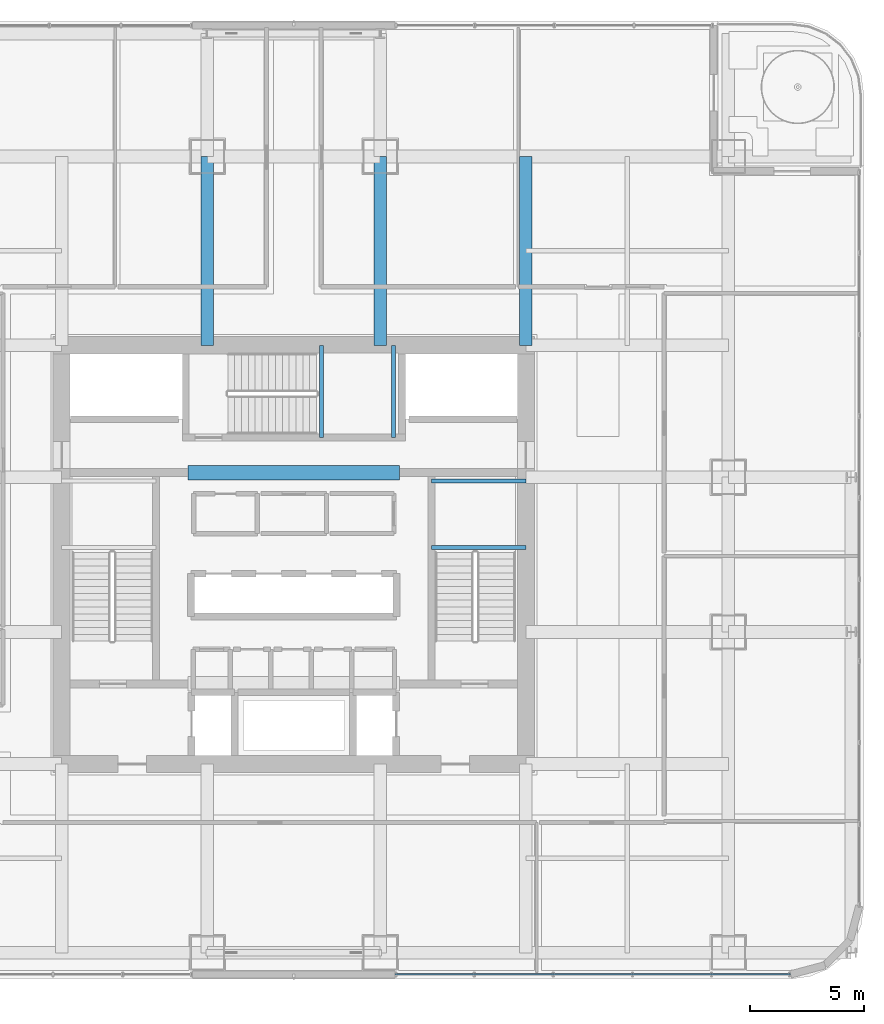
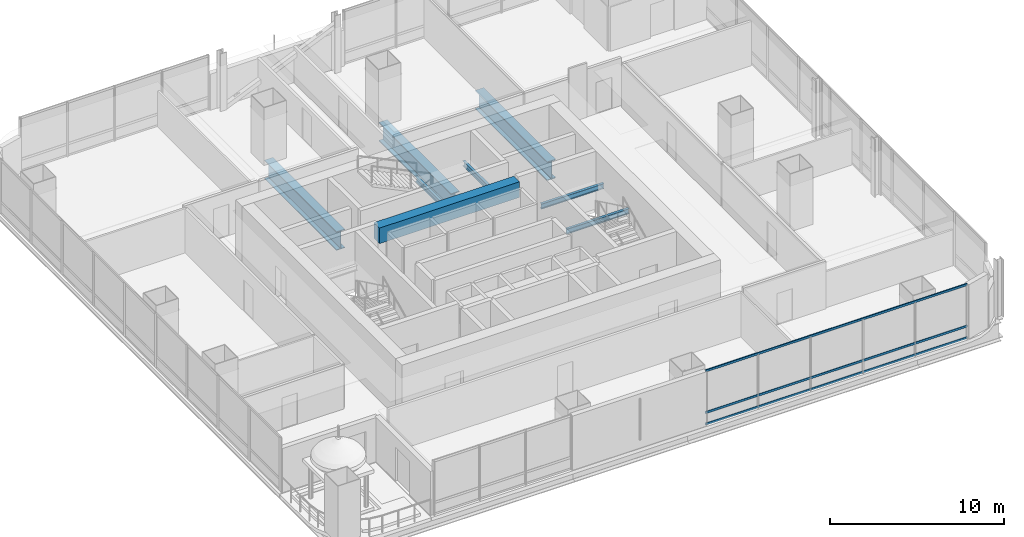
# One storey, part 10 of 37: 8 beams, 3 members, 1 element without a shape of its own.
"""IFC4 building model written with IfcOpenShell, lengths in metres."""

from ifc_helpers import new_model, si_unit, direction, frame, origin, origin_2d, place, context, subcontext, project, spatial, rectangle, hollow_rectangle, i_section, extrude, material, material_profile, profile_set, type_object, element, aggregate, save


model = new_model("IFC4")

# Units and contexts
model_context = context("Model", 3, precision=1e-05, world=origin(), true_north=direction((0.0, 1.0)))
body_context = subcontext(model_context, "Body", "Model", "MODEL_VIEW")
ifc_project = project(units=[si_unit("LENGTHUNIT", "METRE"), si_unit("AREAUNIT", "SQUARE_METRE"), si_unit("VOLUMEUNIT", "CUBIC_METRE"), si_unit("PLANEANGLEUNIT", "RADIAN"), si_unit("MASSUNIT", "GRAM", prefix="KILO")], contexts=[model_context])

# Site, building, storey
site_placement = place(None, origin())
site = spatial("IfcSite", under=ifc_project, at=site_placement, CompositionType="ELEMENT")
building_placement = place(site_placement, origin())
building = spatial("IfcBuilding", under=site, at=building_placement, Name="Punatoya Terracotta Tower", CompositionType="ELEMENT")
storey_placement = place(building_placement, frame((0.0, 0.0, 109.199951171875)))
storey = spatial("IfcBuildingStorey", under=building, at=storey_placement, Name="L25", CompositionType="ELEMENT", Elevation=109.199951171875)

# Beams
ifc_material_1 = material(Name="Concrete C60/75", Category="concrete")
ifc_material_profile_1 = material_profile(ifc_material_1, rectangle(XDim=0.64990234375, YDim=1.10009765625, at=origin_2d()))
ifc_profile_set_1 = profile_set([ifc_material_profile_1], Name="Concrete C60/75")
beam_type_1 = type_object("IfcBeamType", Name="BM-RC-1100", PredefinedType="LINTEL", material=ifc_profile_set_1)
beam_placement = place(storey_placement, frame((-4.64990234375, 3.60009765625, 3.260009765625), z_axis=(1.0, 0.0, 0.0), x_axis=(0.0, 1.0, 0.0)))
element("IfcBeam", 1, at=beam_placement, inside=storey, type_object=beam_type_1, Name="L25 Core Coupling Lintel CNW", PredefinedType="LINTEL", context=body_context, shape_type="SweptSolid", body=[
    extrude(rectangle(XDim=0.64990234375, YDim=1.10009765625, at=origin_2d()), origin(), (0.0, 0.0, 1.0), 9.2998046875),
])
ifc_material_2 = material(Name="Steel S355", Category="steel")
ifc_material_profile_2 = material_profile(ifc_material_2, i_section(OverallWidth=0.169921875, OverallDepth=0.360107421875, WebThickness=0.008056640625, FlangeThickness=0.0126953125, FilletRadius=0.01806640625, at=origin_2d()))
ifc_profile_set_2 = profile_set([ifc_material_profile_2], Name="Steel S355")
beam_type_2 = type_object("IfcBeamType", Name="BM-SEC-360", PredefinedType="JOIST", material=ifc_profile_set_2)
for number, where, z_axis, x_axis, name in (
    (2, (6.050048828125, 0.320068359375, 1.64501953125), (1.0, 0.0, 0.0), (0.0, 1.0, 0.0), "BM-L25-ST-2-LD1A"),
    (3, (6.050048828125, 3.22998046875, 1.64501953125), (1.0, 0.0, 0.0), (0.0, 1.0, 0.0), "BM-L25-ST-2-LD1B"),
):
    element("IfcBeam", number, at=place(storey_placement, frame(where, z_axis=z_axis, x_axis=x_axis)), inside=storey, type_object=beam_type_2, Name=name, PredefinedType="JOIST", context=body_context, shape_type="SweptSolid", body=[
        extrude(i_section(OverallWidth=0.169921875, OverallDepth=0.360107421875, WebThickness=0.008056640625, FlangeThickness=0.0126953125, FilletRadius=0.01806640625, at=origin_2d()), origin(), (0.0, 0.0, 1.0), 4.14990234375),
    ])
for number, where, z_axis, x_axis, name in (
    (4, (1.219970703125, 5.14990234375, 1.64501953125), (0.0, 1.0, 0.0), (-1.0, 0.0, 0.0), "BM-L25-ST-3-LD1A"),
    (5, (4.3798828125, 5.14990234375, 1.64501953125), (0.0, 1.0, 0.0), (-1.0, 0.0, 0.0), "BM-L25-ST-3-LD1B"),
):
    element("IfcBeam", number, at=place(storey_placement, frame(where, z_axis=z_axis, x_axis=x_axis)), inside=storey, type_object=beam_type_2, Name=name, PredefinedType="JOIST", context=body_context, shape_type="SweptSolid", body=[
        extrude(i_section(OverallWidth=0.169921875, OverallDepth=0.360107421875, WebThickness=0.008056640625, FlangeThickness=0.0126953125, FilletRadius=0.01806640625, at=origin_2d()), origin(), (0.0, 0.0, 1.0), 4.050048828125),
    ])
ifc_material_3 = material(Name="Steel S460", Category="steel")
ifc_material_profile_3 = material_profile(ifc_material_3, i_section(OverallWidth=0.56005859375, OverallDepth=1.320068359375, WebThickness=0.035888671875, FlangeThickness=0.054931640625, FilletRadius=0.01806640625, at=origin_2d()))
ifc_profile_set_3 = profile_set([ifc_material_profile_3], Name="Steel S460")
beam_type_3 = type_object("IfcBeamType", Name="BM-TG-BLK", PredefinedType="BEAM", material=ifc_profile_set_3)
for number, where, z_axis, x_axis, name in (
    (6, (-3.800048828125, 9.199951171875, -0.89990234375), (0.0, 1.0, 0.0), (-1.0, 0.0, 0.0), "BM-L25-PR-N2"),
    (7, (3.800048828125, 9.199951171875, -0.89990234375), (0.0, 1.0, 0.0), (-1.0, 0.0, 0.0), "BM-L25-PR-N3"),
    (8, (10.199951171875, 9.199951171875, -0.89990234375), (0.0, 1.0, 0.0), (-1.0, 0.0, 0.0), "BM-L25-PR-N4"),
):
    element("IfcBeam", number, at=place(storey_placement, frame(where, z_axis=z_axis, x_axis=x_axis)), inside=storey, type_object=beam_type_3, Name=name, PredefinedType="BEAM", context=body_context, shape_type="SweptSolid", body=[
        extrude(i_section(OverallWidth=0.56005859375, OverallDepth=1.320068359375, WebThickness=0.035888671875, FlangeThickness=0.054931640625, FilletRadius=0.01806640625, at=origin_2d()), origin(), (0.0, 0.0, 1.0), 8.300048828125),
    ])

# Curtain wall, members
ifc_material_4 = material(Name="Aluminium 6063-T6 + Double Low-E Glass", Category="aluminium")
curtain_wall_type = type_object("IfcCurtainWallType", Name="CW-M1", PredefinedType="NOTDEFINED", material=ifc_material_4)
curtain_wall_placement = place(storey_placement, origin())
curtain_wall = element("IfcCurtainWall", 9, at=curtain_wall_placement, inside=storey, type_object=curtain_wall_type, Name="L25 Curtain Wall CW-L25-S01-2", PredefinedType="NOTDEFINED")
ifc_material_5 = material(Name="Aluminium 6063-T6", Category="aluminium")
ifc_material_profile_4 = material_profile(ifc_material_5, hollow_rectangle(XDim=0.068115234375, YDim=0.14990234375, WallThickness=0.00390625, at=origin_2d()))
ifc_profile_set_4 = profile_set([ifc_material_profile_4], Name="Aluminium 6063-T6")
member_type = type_object("IfcMemberType", Name="CW-TRN-TYP", PredefinedType="USERDEFINED", material=ifc_profile_set_4)
member_1_placement = place(storey_placement, frame((4.449951171875, -18.449951171875, 0.0400390625), z_axis=(1.0, 0.0, 0.0), x_axis=(0.0, 1.0, 0.0)))
member_1 = element("IfcMember", 10, at=member_1_placement, type_object=member_type, Name="CW-L25-S01-2 Transom 1", ObjectType="TRANSOM", PredefinedType="USERDEFINED", context=body_context, shape_type="SweptSolid", body=[
    extrude(hollow_rectangle(XDim=0.068115234375, YDim=0.14990234375, WallThickness=0.00390625, at=origin_2d()), origin(), (0.0, 0.0, 1.0), 17.386962890625),
])
member_2_placement = place(storey_placement, frame((4.449951171875, -18.449951171875, 0.85009765625), z_axis=(1.0, 0.0, 0.0), x_axis=(0.0, 1.0, 0.0)))
member_2 = element("IfcMember", 11, at=member_2_placement, type_object=member_type, Name="CW-L25-S01-2 Transom 2", ObjectType="TRANSOM", PredefinedType="USERDEFINED", context=body_context, shape_type="SweptSolid", body=[
    extrude(hollow_rectangle(XDim=0.068115234375, YDim=0.14990234375, WallThickness=0.00390625, at=origin_2d()), origin(), (0.0, 0.0, 1.0), 17.386962890625),
])
member_3_placement = place(storey_placement, frame((4.449951171875, -18.449951171875, 3.77001953125), z_axis=(1.0, 0.0, 0.0), x_axis=(0.0, 1.0, 0.0)))
member_3 = element("IfcMember", 12, at=member_3_placement, type_object=member_type, Name="CW-L25-S01-2 Transom 3", ObjectType="TRANSOM", PredefinedType="USERDEFINED", context=body_context, shape_type="SweptSolid", body=[
    extrude(hollow_rectangle(XDim=0.068115234375, YDim=0.14990234375, WallThickness=0.00390625, at=origin_2d()), origin(), (0.0, 0.0, 1.0), 17.386962890625),
])
aggregate(curtain_wall, [member_1, member_2, member_3])

save(model, "model.ifc")
